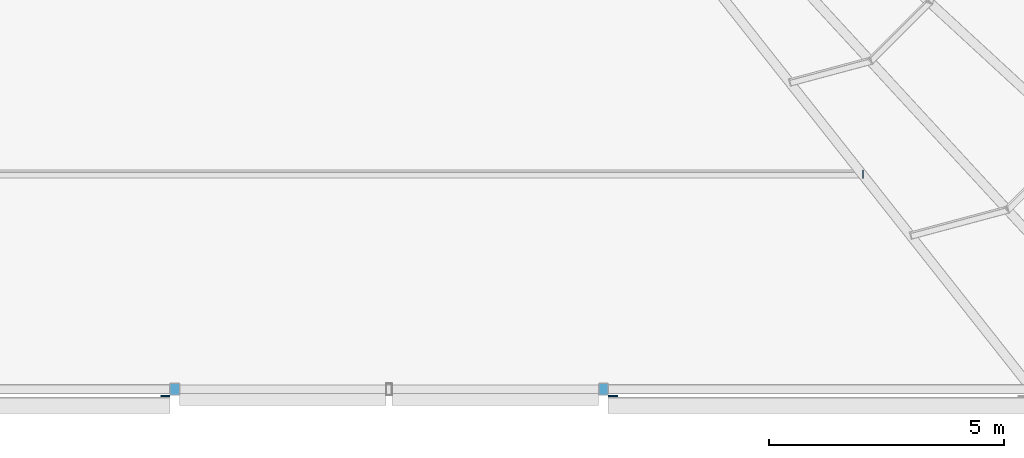
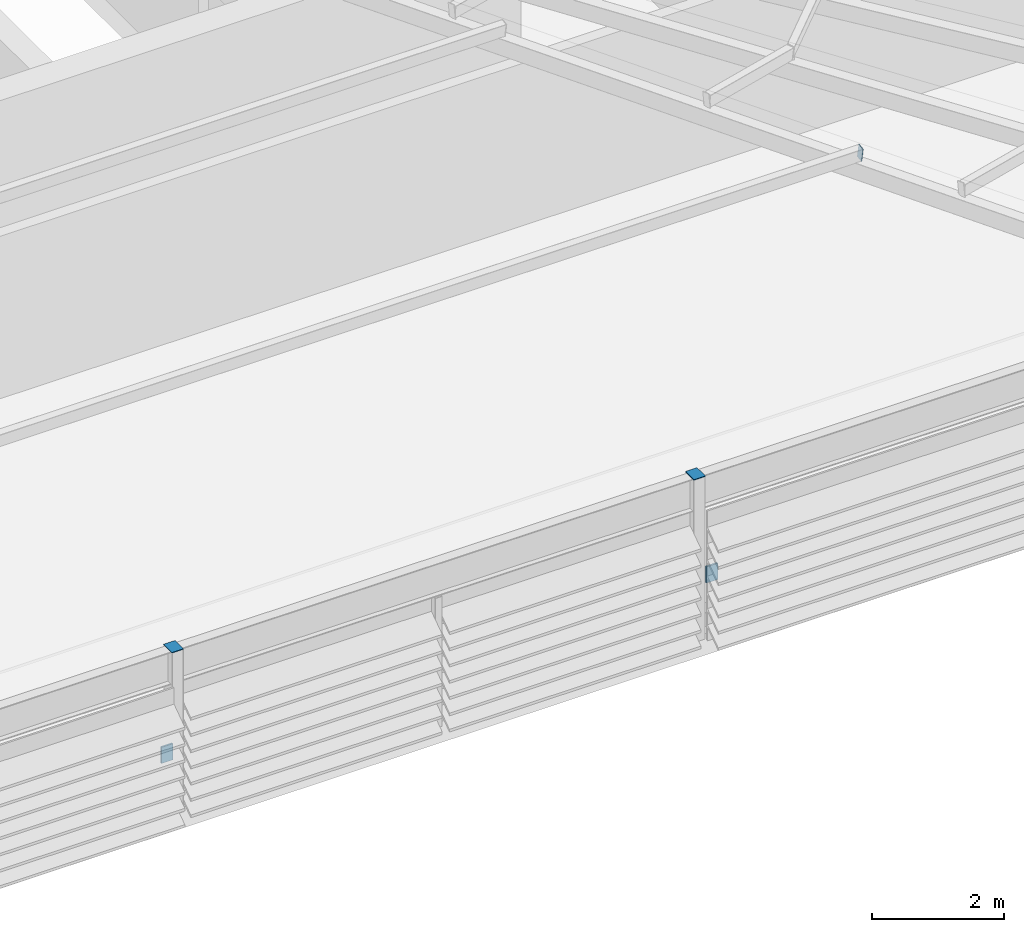
# One storey, part 30 of 46: 5 discrete accessories.
"""IFC4 building model written with IfcOpenShell, lengths in metres."""

from ifc_helpers import new_model, si_unit, direction, frame, origin, origin_2d, place, context, subcontext, project, spatial, rectangle, extrude, material, type_object, element, save


model = new_model("IFC4")

# Units and contexts
model_context = context("Model", 3, precision=1e-05, world=origin(), true_north=direction((0.0, 1.0)))
body_context = subcontext(model_context, "Body", "Model", "MODEL_VIEW")
ifc_project = project(units=[si_unit("LENGTHUNIT", "METRE"), si_unit("AREAUNIT", "SQUARE_METRE"), si_unit("VOLUMEUNIT", "CUBIC_METRE"), si_unit("PLANEANGLEUNIT", "RADIAN"), si_unit("MASSUNIT", "GRAM", prefix="KILO")], contexts=[model_context])

# Site, building, storey
site_placement = place(None, origin())
site = spatial("IfcSite", under=ifc_project, at=site_placement, CompositionType="ELEMENT")
building_placement = place(site_placement, origin())
building = spatial("IfcBuilding", under=site, at=building_placement, Name="Madar Terraces", CompositionType="ELEMENT")
storey_placement = place(building_placement, frame((0.0, 0.0, 317.300048828125)))
storey = spatial("IfcBuildingStorey", under=building, at=storey_placement, Name="L82", CompositionType="ELEMENT", Elevation=317.300048828125)

# Discrete accessories
ifc_material_1 = material(Name="Steel plate ASTM A36, galvanised", Category="steel")
discrete_accessory_type_1 = type_object("IfcDiscreteAccessoryType", Name="Hollow section end plate", PredefinedType="BRACKET", material=ifc_material_1)
discrete_accessory_placement = place(storey_placement, frame((48.0, 5.781982421875, 4.22900390625), z_axis=(1.0, 0.0, 0.0), x_axis=(0.0, 0.984957023705, 0.172799483372)))
element("IfcDiscreteAccessory", 1, at=discrete_accessory_placement, inside=storey, type_object=discrete_accessory_type_1, Name="Hollow section end plate", PredefinedType="BRACKET", context=body_context, shape_type="SweptSolid", body=[
    extrude(rectangle(XDim=0.126953125, YDim=0.25390625, at=origin_2d()), origin(), (0.0, 0.0, 1.0), 0.011962890625),
])
for number, where, z_axis, x_axis, name in (
    (2, (33.360107421875, 1.199951171875, 3.0), (0.0, 0.0, 1.0), (1.0, 0.0, 0.0), "Hollow section end plate"),
    (3, (42.47998046875, 1.199951171875, 3.0), (0.0, 0.0, 1.0), (1.0, 0.0, 0.0), "Hollow section end plate"),
):
    element("IfcDiscreteAccessory", number, at=place(storey_placement, frame(where, z_axis=z_axis, x_axis=x_axis)), inside=storey, type_object=discrete_accessory_type_1, Name=name, PredefinedType="BRACKET", context=body_context, shape_type="SweptSolid", body=[
        extrude(rectangle(XDim=0.203125, YDim=0.25390625, at=origin_2d()), origin(), (0.0, 0.0, 1.0), 0.011962890625),
    ])
ifc_material_2 = material(Name="Steel, galvanised", Category="steel")
discrete_accessory_type_2 = type_object("IfcDiscreteAccessoryType", Name="Louvre bank bracket", PredefinedType="BRACKET", material=ifc_material_2)
for number, where, z_axis, x_axis, name in (
    (4, (33.158447265625, 1.05810546875, 1.048828125), (0.0, 0.0, 1.0), (1.0, 0.0, 0.0), "Louvre bank bracket"),
    (5, (42.681640625, 1.05810546875, 1.048828125), (0.0, 0.0, 1.0), (1.0, 0.0, 0.0), "Louvre bank bracket"),
):
    element("IfcDiscreteAccessory", number, at=place(storey_placement, frame(where, z_axis=z_axis, x_axis=x_axis)), inside=storey, type_object=discrete_accessory_type_2, Name=name, PredefinedType="BRACKET", context=body_context, shape_type="SweptSolid", body=[
        extrude(rectangle(XDim=0.199951171875, YDim=0.030029296875, at=origin_2d()), origin(), (0.0, 0.0, 1.0), 0.300048828125),
    ])

save(model, "model.ifc")
